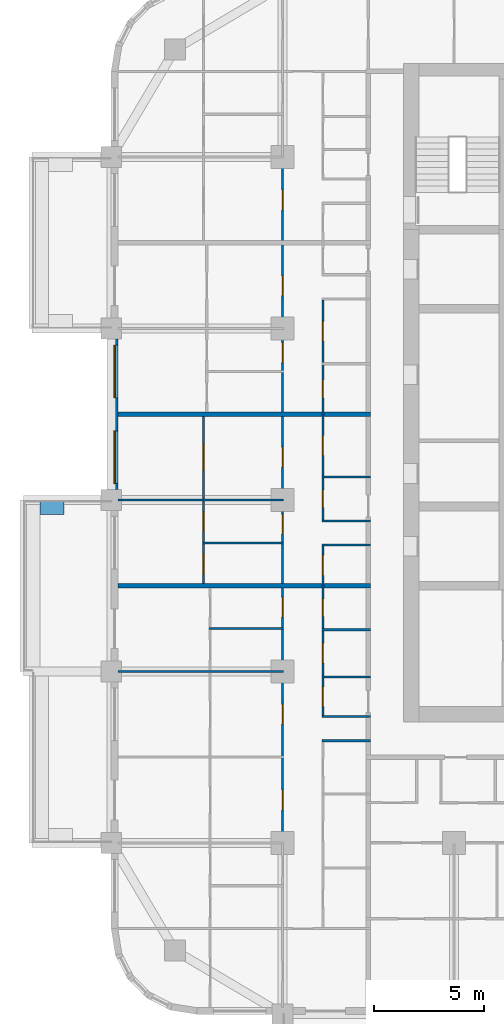
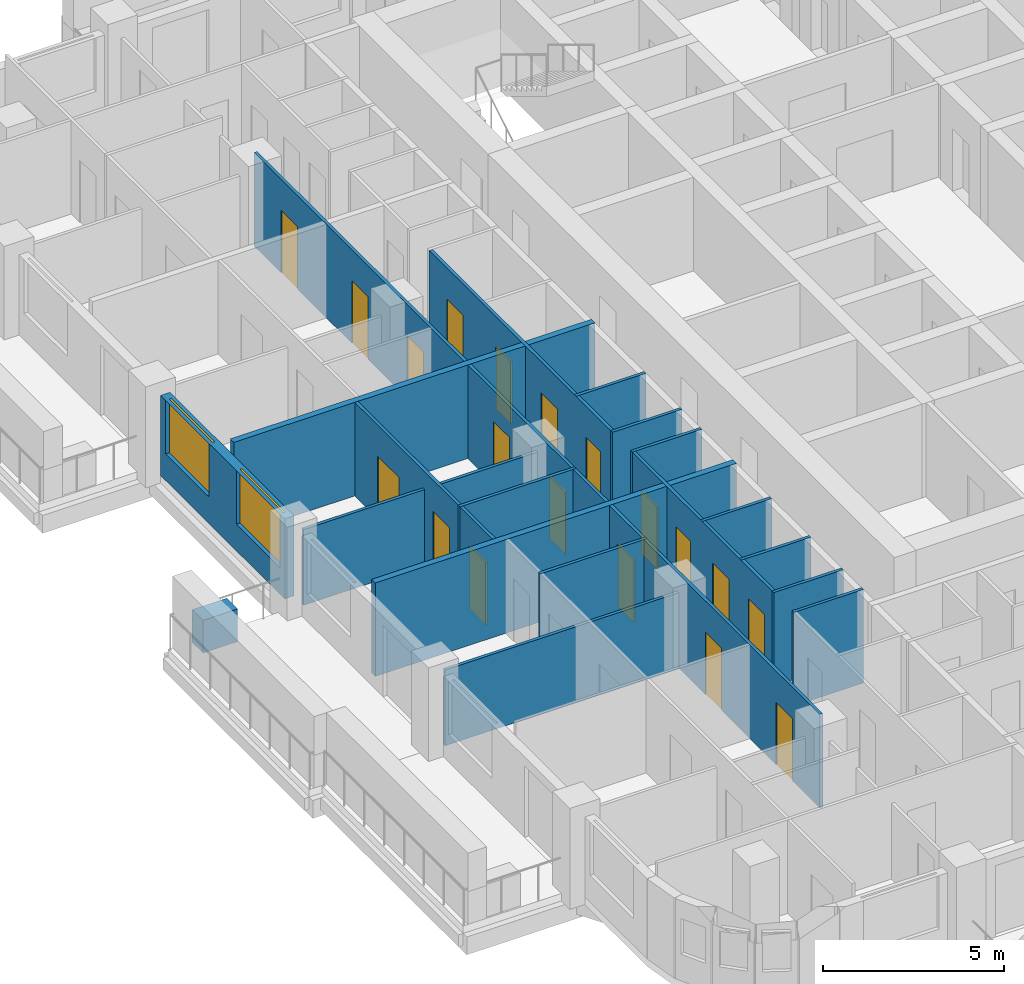
# One storey, part 5 of 18: 19 doors, 19 walls, 2 windows, 21 openings.
"""IFC4 building model written with IfcOpenShell, lengths in metres."""

from ifc_helpers import new_model, si_unit, direction, frame, frame_2d, origin, place, context, subcontext, project, spatial, rectangle, extrude, material, layer, layer_set, type_object, element, fill, save


model = new_model("IFC4")

# Units and contexts
model_context = context("Model", 3, precision=1e-05, world=origin(), true_north=direction((0.0, 1.0)))
body_context = subcontext(model_context, "Body", "Model", "MODEL_VIEW")
ifc_project = project(units=[si_unit("LENGTHUNIT", "METRE"), si_unit("AREAUNIT", "SQUARE_METRE"), si_unit("VOLUMEUNIT", "CUBIC_METRE"), si_unit("PLANEANGLEUNIT", "RADIAN"), si_unit("MASSUNIT", "GRAM", prefix="KILO")], contexts=[model_context])

# Site, building, storey
site_placement = place(None, origin())
site = spatial("IfcSite", under=ifc_project, at=site_placement, CompositionType="ELEMENT")
building_placement = place(site_placement, origin())
building = spatial("IfcBuilding", under=site, at=building_placement, Name="Ludao Terraces", CompositionType="ELEMENT")
storey_placement = place(building_placement, frame((0.0, 0.0, 64.800048828125)))
storey = spatial("IfcBuildingStorey", under=building, at=storey_placement, Name="L17", CompositionType="ELEMENT", Elevation=64.800048828125)

# Wall
ifc_material_1 = material(Name="Concrete C40", Category="concrete")
ifc_layer_1 = layer(ifc_material_1, 0.60009765625)
ifc_layer_set_1 = layer_set([ifc_layer_1], Name="ENV Planter trough 600")
wall_type_1 = type_object("IfcWallType", Name="ENV Planter trough 600", PredefinedType="USERDEFINED", material=ifc_layer_set_1)
wall_1_placement = place(storey_placement, frame((58.35009765625, 64.64990234375, 0.0), z_axis=(0.0, 0.0, 1.0), x_axis=(1.0, 0.0, 0.0)))
element("IfcWall", 1, at=wall_1_placement, inside=storey, type_object=wall_type_1, Name="PL-L17-W2-SB", ObjectType="PLANTER", PredefinedType="USERDEFINED", context=body_context, shape_type="SweptSolid", body=[
    extrude(rectangle(XDim=1.099853515625, YDim=0.60009765625, at=frame_2d((0.5498046875, 0.0))), origin(), (0.0, 0.0, 1.0), 1.099853515625),
])

# Wall, openings, windows
ifc_material_2 = material(Name="Granite cladding", Category="masonry")
ifc_layer_2 = layer(ifc_material_2, 0.0400390625, Category="stone")
ifc_material_3 = material(Name="Mineral wool")
ifc_layer_3 = layer(ifc_material_3, 0.06005859375)
ifc_layer_4 = layer(ifc_material_1, 0.199951171875, Category="concrete")
ifc_layer_set_2 = layer_set([ifc_layer_2, ifc_layer_3, ifc_layer_4], Name="ENV Stone-clad wall 300")
wall_type_2 = type_object("IfcWallType", Name="ENV Stone-clad wall 300", PredefinedType="SOLIDWALL", material=ifc_layer_set_2)
wall_2_placement = place(storey_placement, frame((61.75, 65.47509765625, 0.0), z_axis=(0.0, 0.0, 1.0), x_axis=(0.0, 1.0, 0.0)))
wall_2 = element("IfcWall", 2, at=wall_2_placement, inside=storey, type_object=wall_type_2, Name="EW-L17-W4", PredefinedType="SOLIDWALL", context=body_context, shape_type="SweptSolid", body=[
    extrude(rectangle(XDim=6.849853515625, YDim=0.300048828125, at=frame_2d((3.4248046875, 0.0))), origin(), (0.0, 0.0, 1.0), 2.699951171875),
])
opening_1_placement = place(wall_2_placement, frame((0.27490234375, 0.0, 0.89990234375)))
opening_1 = element("IfcOpeningElement", 3, at=opening_1_placement, cuts=wall_2, Name="Opening W1", PredefinedType="OPENING", context=body_context, shape_type="SweptSolid", body=[
    extrude(rectangle(XDim=2.39990234375, YDim=1.800048828125, at=frame_2d((1.199951171875, 0.89990234375))), frame((0.0, 0.16015625, 0.0), z_axis=(0.0, -1.0, 0.0), x_axis=(1.0, 0.0, 0.0)), (0.0, 0.0, 1.0), 0.320068359375),
])
opening_2_placement = place(wall_2_placement, frame((4.175048828125, 0.0, 0.89990234375)))
opening_2 = element("IfcOpeningElement", 4, at=opening_2_placement, cuts=wall_2, Name="Opening W1", PredefinedType="OPENING", context=body_context, shape_type="SweptSolid", body=[
    extrude(rectangle(XDim=2.39990234375, YDim=1.800048828125, at=frame_2d((1.199951171875, 0.89990234375))), frame((0.0, 0.16015625, 0.0), z_axis=(0.0, -1.0, 0.0), x_axis=(1.0, 0.0, 0.0)), (0.0, 0.0, 1.0), 0.320068359375),
])
ifc_material_4 = material(Name="Clear glass in aluminium frame", Category="aluminium")
ifc_layer_5 = layer(ifc_material_4, 0.06005859375)
ifc_layer_set_3 = layer_set([ifc_layer_5], Name="ENV Window W1 2400x1800")
window_type = type_object("IfcWindowType", Name="ENV Window W1 2400x1800", PartitioningType="DOUBLE_PANEL_VERTICAL", PredefinedType="WINDOW", material=ifc_layer_set_3)
window_1_placement = place(opening_1_placement, origin())
window_1 = element("IfcWindow", 5, at=window_1_placement, inside=storey, type_object=window_type, Name="W-L17-W4-1", OverallHeight=1.800048828125, OverallWidth=2.39990234375, PartitioningType="DOUBLE_PANEL_VERTICAL", PredefinedType="WINDOW", context=body_context, shape_type="SweptSolid", body=[
    extrude(rectangle(XDim=2.39990234375, YDim=1.800048828125, at=frame_2d((1.199951171875, 0.89990234375))), frame((0.0, 0.030029296875, 0.0), z_axis=(0.0, -1.0, 0.0), x_axis=(1.0, 0.0, 0.0)), (0.0, 0.0, 1.0), 0.06005859375),
])
fill(opening_1, window_1)
window_2_placement = place(opening_2_placement, origin())
window_2 = element("IfcWindow", 6, at=window_2_placement, inside=storey, type_object=window_type, Name="W-L17-W4-2", OverallHeight=1.800048828125, OverallWidth=2.39990234375, PartitioningType="DOUBLE_PANEL_VERTICAL", PredefinedType="WINDOW", context=body_context, shape_type="SweptSolid", body=[
    extrude(rectangle(XDim=2.39990234375, YDim=1.800048828125, at=frame_2d((1.199951171875, 0.89990234375))), frame((0.0, 0.030029296875, 0.0), z_axis=(0.0, -1.0, 0.0), x_axis=(1.0, 0.0, 0.0)), (0.0, 0.0, 1.0), 0.06005859375),
])
fill(opening_2, window_2)

# Walls
ifc_material_5 = material(Name="Gypsum plasterboard", Category="gypsum")
ifc_layer_6 = layer(ifc_material_5, 0.012451171875, Category="gypsum")
ifc_layer_7 = layer(ifc_material_3, 0.06005859375, Name="insulation")
ifc_material_6 = material(Name="Steel Q235", Category="steel")
ifc_layer_8 = layer(ifc_material_6, 0.014892578125, Name="stud")
ifc_layer_9 = layer(ifc_material_5, 0.012451171875, Category="gypsum")
ifc_layer_set_4 = layer_set([ifc_layer_6, ifc_layer_7, ifc_layer_8, ifc_layer_9], Name="INT Partition 100")
wall_type_3 = type_object("IfcWallType", Name="INT Partition 100", PredefinedType="PARTITIONING", material=ifc_layer_set_4)
for number, where, z_axis, x_axis, name in (
    (7, (71.18017578125, 54.050048828125, 0.0), (0.0, 0.0, 1.0), (1.0, 0.0, 0.0), "PW-L17-PW022"),
    (8, (71.18017578125, 55.14990234375, 0.0), (0.0, 0.0, 1.0), (1.0, 0.0, 0.0), "PW-L17-PW024"),
    (9, (71.18017578125, 56.949951171875, 0.0), (0.0, 0.0, 1.0), (1.0, 0.0, 0.0), "PW-L17-PW026"),
):
    element("IfcWall", number, at=place(storey_placement, frame(where, z_axis=z_axis, x_axis=x_axis)), inside=storey, type_object=wall_type_3, Name=name, PredefinedType="PARTITIONING", context=body_context, shape_type="SweptSolid", body=[
        extrude(rectangle(XDim=2.219970703125, YDim=0.10009765625, at=frame_2d((1.10986328125, 0.0))), origin(), (0.0, 0.0, 1.0), 3.14990234375),
    ])
wall_3_placement = place(storey_placement, frame((61.900146484375, 57.199951171875, 0.0), z_axis=(0.0, 0.0, 1.0), x_axis=(1.0, 0.0, 0.0)))
element("IfcWall", 10, at=wall_3_placement, inside=storey, type_object=wall_type_3, Name="PW-L17-PW027", PredefinedType="PARTITIONING", context=body_context, shape_type="SweptSolid", body=[
    extrude(rectangle(XDim=7.550048828125, YDim=0.10009765625, at=frame_2d((3.77490234375, 0.0))), origin(), (0.0, 0.0, 1.0), 2.5498046875),
])
wall_4_placement = place(storey_placement, frame((71.18017578125, 59.10009765625, 0.0), z_axis=(0.0, 0.0, 1.0), x_axis=(1.0, 0.0, 0.0)))
element("IfcWall", 11, at=wall_4_placement, inside=storey, type_object=wall_type_3, Name="PW-L17-PW029", PredefinedType="PARTITIONING", context=body_context, shape_type="SweptSolid", body=[
    extrude(rectangle(XDim=2.219970703125, YDim=0.10009765625, at=frame_2d((1.10986328125, 0.0))), origin(), (0.0, 0.0, 1.0), 3.14990234375),
])
wall_5_placement = place(storey_placement, frame((66.050048828125, 59.14990234375, 0.0), z_axis=(0.0, 0.0, 1.0), x_axis=(1.0, 0.0, 0.0)))
element("IfcWall", 12, at=wall_5_placement, inside=storey, type_object=wall_type_3, Name="PW-L17-PW030", PredefinedType="PARTITIONING", context=body_context, shape_type="SweptSolid", body=[
    extrude(rectangle(XDim=3.400146484375, YDim=0.10009765625, at=frame_2d((1.7001953125, 0.0))), origin(), (0.0, 0.0, 1.0), 3.14990234375),
])
wall_6_placement = place(storey_placement, frame((71.18017578125, 62.949951171875, 0.0), z_axis=(0.0, 0.0, 1.0), x_axis=(1.0, 0.0, 0.0)))
element("IfcWall", 13, at=wall_6_placement, inside=storey, type_object=wall_type_3, Name="PW-L17-PW037", PredefinedType="PARTITIONING", context=body_context, shape_type="SweptSolid", body=[
    extrude(rectangle(XDim=2.219970703125, YDim=0.10009765625, at=frame_2d((1.10986328125, 0.0))), origin(), (0.0, 0.0, 1.0), 3.14990234375),
])
wall_7_placement = place(storey_placement, frame((65.75, 63.050048828125, 0.0), z_axis=(0.0, 0.0, 1.0), x_axis=(1.0, 0.0, 0.0)))
element("IfcWall", 14, at=wall_7_placement, inside=storey, type_object=wall_type_3, Name="PW-L17-PW038", PredefinedType="PARTITIONING", context=body_context, shape_type="SweptSolid", body=[
    extrude(rectangle(XDim=3.7001953125, YDim=0.10009765625, at=frame_2d((1.85009765625, 0.0))), origin(), (0.0, 0.0, 1.0), 3.14990234375),
])
wall_8_placement = place(storey_placement, frame((71.18017578125, 64.050048828125, 0.0), z_axis=(0.0, 0.0, 1.0), x_axis=(1.0, 0.0, 0.0)))
element("IfcWall", 15, at=wall_8_placement, inside=storey, type_object=wall_type_3, Name="PW-L17-PW041", PredefinedType="PARTITIONING", context=body_context, shape_type="SweptSolid", body=[
    extrude(rectangle(XDim=2.219970703125, YDim=0.10009765625, at=frame_2d((1.10986328125, 0.0))), origin(), (0.0, 0.0, 1.0), 3.14990234375),
])
wall_9_placement = place(storey_placement, frame((61.900146484375, 65.0, 0.0), z_axis=(0.0, 0.0, 1.0), x_axis=(1.0, 0.0, 0.0)))
element("IfcWall", 16, at=wall_9_placement, inside=storey, type_object=wall_type_3, Name="PW-L17-PW042", PredefinedType="PARTITIONING", context=body_context, shape_type="SweptSolid", body=[
    extrude(rectangle(XDim=7.550048828125, YDim=0.10009765625, at=frame_2d((3.77490234375, 0.0))), origin(), (0.0, 0.0, 1.0), 2.5498046875),
])
wall_10_placement = place(storey_placement, frame((71.18017578125, 66.050048828125, 0.0), z_axis=(0.0, 0.0, 1.0), x_axis=(1.0, 0.0, 0.0)))
element("IfcWall", 17, at=wall_10_placement, inside=storey, type_object=wall_type_3, Name="PW-L17-PW044", PredefinedType="PARTITIONING", context=body_context, shape_type="SweptSolid", body=[
    extrude(rectangle(XDim=2.219970703125, YDim=0.10009765625, at=frame_2d((1.10986328125, 0.0))), origin(), (0.0, 0.0, 1.0), 3.14990234375),
])

# Wall, openings, doors
wall_11_placement = place(storey_placement, frame((65.800048828125, 61.2001953125, 0.0), z_axis=(0.0, 0.0, 1.0), x_axis=(0.0, 1.0, 0.0)))
wall_11 = element("IfcWall", 18, at=wall_11_placement, inside=storey, type_object=wall_type_3, Name="PW-L17-PW081", PredefinedType="PARTITIONING", context=body_context, shape_type="SweptSolid", body=[
    extrude(rectangle(XDim=7.599853515625, YDim=0.10009765625, at=frame_2d((3.7998046875, 0.0))), origin(), (0.0, 0.0, 1.0), 3.14990234375),
])
opening_3_placement = place(wall_11_placement, frame((0.4248046875, 0.0, 0.0)))
opening_3 = element("IfcOpeningElement", 19, at=opening_3_placement, cuts=wall_11, Name="Opening R05-076", PredefinedType="OPENING", context=body_context, shape_type="SweptSolid", body=[
    extrude(rectangle(XDim=0.89990234375, YDim=2.10009765625, at=frame_2d((0.449951171875, 1.050048828125))), frame((0.0, 0.06005859375, 0.0), z_axis=(0.0, -1.0, 0.0), x_axis=(1.0, 0.0, 0.0)), (0.0, 0.0, 1.0), 0.1201171875),
])
opening_4_placement = place(wall_11_placement, frame((2.375, 0.0, 0.0)))
opening_4 = element("IfcOpeningElement", 20, at=opening_4_placement, cuts=wall_11, Name="Opening R05-085", PredefinedType="OPENING", context=body_context, shape_type="SweptSolid", body=[
    extrude(rectangle(XDim=0.89990234375, YDim=2.10009765625, at=frame_2d((0.449951171875, 1.050048828125))), frame((0.0, 0.06005859375, 0.0), z_axis=(0.0, -1.0, 0.0), x_axis=(1.0, 0.0, 0.0)), (0.0, 0.0, 1.0), 0.1201171875),
])
opening_5_placement = place(wall_11_placement, frame((5.14990234375, 0.0, 0.0)))
opening_5 = element("IfcOpeningElement", 21, at=opening_5_placement, cuts=wall_11, Name="Opening R05-094", PredefinedType="OPENING", context=body_context, shape_type="SweptSolid", body=[
    extrude(rectangle(XDim=1.199951171875, YDim=2.10009765625, at=frame_2d((0.60009765625, 1.050048828125))), frame((0.0, 0.06005859375, 0.0), z_axis=(0.0, -1.0, 0.0), x_axis=(1.0, 0.0, 0.0)), (0.0, 0.0, 1.0), 0.1201171875),
])
ifc_material_7 = material(Name="Timber door leaf", Category="wood")
door_type_1 = type_object("IfcDoorType", Name="INT Bathroom door 900", OperationType="SINGLE_SWING_LEFT", PredefinedType="DOOR", material=ifc_material_7)
door_1_placement = place(opening_3_placement, origin())
door_1 = element("IfcDoor", 22, at=door_1_placement, inside=storey, type_object=door_type_1, Name="DOOR 076", OperationType="SINGLE_SWING_RIGHT", OverallHeight=2.10009765625, OverallWidth=0.89990234375, PredefinedType="DOOR", context=body_context, shape_type="SweptSolid", body=[
    extrude(rectangle(XDim=0.89990234375, YDim=2.10009765625, at=frame_2d((0.449951171875, 1.050048828125))), frame((0.0, 0.02490234375, 0.0), z_axis=(0.0, -1.0, 0.0), x_axis=(1.0, 0.0, 0.0)), (0.0, 0.0, 1.0), 0.050048828125),
])
fill(opening_3, door_1)
door_type_2 = type_object("IfcDoorType", Name="INT Double door 1200", OperationType="DOUBLE_DOOR_SINGLE_SWING", PredefinedType="DOOR", material=ifc_material_7)
door_2_placement = place(opening_5_placement, origin())
door_2 = element("IfcDoor", 23, at=door_2_placement, inside=storey, type_object=door_type_2, Name="DOOR 094", OperationType="DOUBLE_DOOR_SINGLE_SWING", OverallHeight=2.10009765625, OverallWidth=1.199951171875, PredefinedType="DOOR", context=body_context, shape_type="SweptSolid", body=[
    extrude(rectangle(XDim=1.199951171875, YDim=2.10009765625, at=frame_2d((0.60009765625, 1.050048828125))), frame((0.0, 0.02490234375, 0.0), z_axis=(0.0, -1.0, 0.0), x_axis=(1.0, 0.0, 0.0)), (0.0, 0.0, 1.0), 0.050048828125),
])
fill(opening_5, door_2)
door_type_3 = type_object("IfcDoorType", Name="INT Room door 900", OperationType="SINGLE_SWING_LEFT", PredefinedType="DOOR", material=ifc_material_7)
door_3_placement = place(opening_4_placement, origin())
door_3 = element("IfcDoor", 24, at=door_3_placement, inside=storey, type_object=door_type_3, Name="DOOR 085", OperationType="SINGLE_SWING_RIGHT", OverallHeight=2.10009765625, OverallWidth=0.89990234375, PredefinedType="DOOR", context=body_context, shape_type="SweptSolid", body=[
    extrude(rectangle(XDim=0.89990234375, YDim=2.10009765625, at=frame_2d((0.449951171875, 1.050048828125))), frame((0.0, 0.02490234375, 0.0), z_axis=(0.0, -1.0, 0.0), x_axis=(1.0, 0.0, 0.0)), (0.0, 0.0, 1.0), 0.050048828125),
])
fill(opening_4, door_3)

wall_12_placement = place(storey_placement, frame((69.39990234375, 49.39990234375, 0.0), z_axis=(0.0, 0.0, 1.0), x_axis=(0.0, 1.0, 0.0)))
wall_12 = element("IfcWall", 25, at=wall_12_placement, inside=storey, type_object=wall_type_3, Name="PW-L17-PW085-2", PredefinedType="PARTITIONING", context=body_context, shape_type="SweptSolid", body=[
    extrude(rectangle(XDim=31.2001953125, YDim=0.10009765625, at=frame_2d((15.60009765625, 0.0))), origin(), (0.0, 0.0, 1.0), 3.14990234375),
])
opening_6_placement = place(wall_12_placement, frame((1.500244140625, 0.0, 0.0)))
opening_6 = element("IfcOpeningElement", 26, at=opening_6_placement, cuts=wall_12, Name="Opening R05-043", PredefinedType="OPENING", context=body_context, shape_type="SweptSolid", body=[
    extrude(rectangle(XDim=0.89990234375, YDim=2.10009765625, at=frame_2d((0.449951171875, 1.050048828125))), frame((0.0, 0.06005859375, 0.0), z_axis=(0.0, -1.0, 0.0), x_axis=(1.0, 0.0, 0.0)), (0.0, 0.0, 1.0), 0.1201171875),
])
opening_7_placement = place(wall_12_placement, frame((5.400146484375, 0.0, 0.0)))
opening_7 = element("IfcOpeningElement", 27, at=opening_7_placement, cuts=wall_12, Name="Opening R05-053", PredefinedType="OPENING", context=body_context, shape_type="SweptSolid", body=[
    extrude(rectangle(XDim=0.89990234375, YDim=2.10009765625, at=frame_2d((0.449951171875, 1.050048828125))), frame((0.0, 0.06005859375, 0.0), z_axis=(0.0, -1.0, 0.0), x_axis=(1.0, 0.0, 0.0)), (0.0, 0.0, 1.0), 0.1201171875),
])
opening_8_placement = place(wall_12_placement, frame((10.275146484375, 0.0, 0.0)))
opening_8 = element("IfcOpeningElement", 28, at=opening_8_placement, cuts=wall_12, Name="Opening R05-071", PredefinedType="OPENING", context=body_context, shape_type="SweptSolid", body=[
    extrude(rectangle(XDim=0.89990234375, YDim=2.10009765625, at=frame_2d((0.449951171875, 1.050048828125))), frame((0.0, 0.06005859375, 0.0), z_axis=(0.0, -1.0, 0.0), x_axis=(1.0, 0.0, 0.0)), (0.0, 0.0, 1.0), 0.1201171875),
])
opening_9_placement = place(wall_12_placement, frame((14.05029296875, 0.0, 0.0)))
opening_9 = element("IfcOpeningElement", 29, at=opening_9_placement, cuts=wall_12, Name="Opening R05-083", PredefinedType="OPENING", context=body_context, shape_type="SweptSolid", body=[
    extrude(rectangle(XDim=0.89990234375, YDim=2.10009765625, at=frame_2d((0.449951171875, 1.050048828125))), frame((0.0, 0.06005859375, 0.0), z_axis=(0.0, -1.0, 0.0), x_axis=(1.0, 0.0, 0.0)), (0.0, 0.0, 1.0), 0.1201171875),
])
opening_10_placement = place(wall_12_placement, frame((17.10009765625, 0.0, 0.0)))
opening_10 = element("IfcOpeningElement", 30, at=opening_10_placement, cuts=wall_12, Name="Opening R05-095", PredefinedType="OPENING", context=body_context, shape_type="SweptSolid", body=[
    extrude(rectangle(XDim=0.89990234375, YDim=2.10009765625, at=frame_2d((0.449951171875, 1.050048828125))), frame((0.0, 0.06005859375, 0.0), z_axis=(0.0, -1.0, 0.0), x_axis=(1.0, 0.0, 0.0)), (0.0, 0.0, 1.0), 0.1201171875),
])
opening_11_placement = place(wall_12_placement, frame((21.85009765625, 0.0, 0.0)))
opening_11 = element("IfcOpeningElement", 31, at=opening_11_placement, cuts=wall_12, Name="Opening R05-109", PredefinedType="OPENING", context=body_context, shape_type="SweptSolid", body=[
    extrude(rectangle(XDim=0.89990234375, YDim=2.10009765625, at=frame_2d((0.449951171875, 1.050048828125))), frame((0.0, 0.06005859375, 0.0), z_axis=(0.0, -1.0, 0.0), x_axis=(1.0, 0.0, 0.0)), (0.0, 0.0, 1.0), 0.1201171875),
])
opening_12_placement = place(wall_12_placement, frame((24.900146484375, 0.0, 0.0)))
opening_12 = element("IfcOpeningElement", 32, at=opening_12_placement, cuts=wall_12, Name="Opening R05-120", PredefinedType="OPENING", context=body_context, shape_type="SweptSolid", body=[
    extrude(rectangle(XDim=0.89990234375, YDim=2.10009765625, at=frame_2d((0.449951171875, 1.050048828125))), frame((0.0, 0.06005859375, 0.0), z_axis=(0.0, -1.0, 0.0), x_axis=(1.0, 0.0, 0.0)), (0.0, 0.0, 1.0), 0.1201171875),
])
opening_13_placement = place(wall_12_placement, frame((28.80029296875, 0.0, 0.0)))
opening_13 = element("IfcOpeningElement", 33, at=opening_13_placement, cuts=wall_12, Name="Opening R05-138", PredefinedType="OPENING", context=body_context, shape_type="SweptSolid", body=[
    extrude(rectangle(XDim=0.89990234375, YDim=2.10009765625, at=frame_2d((0.449951171875, 1.050048828125))), frame((0.0, 0.06005859375, 0.0), z_axis=(0.0, -1.0, 0.0), x_axis=(1.0, 0.0, 0.0)), (0.0, 0.0, 1.0), 0.1201171875),
])
door_4_placement = place(opening_6_placement, origin())
door_4 = element("IfcDoor", 34, at=door_4_placement, inside=storey, type_object=door_type_3, Name="DOOR 043", OperationType="SINGLE_SWING_RIGHT", OverallHeight=2.10009765625, OverallWidth=0.89990234375, PredefinedType="DOOR", context=body_context, shape_type="SweptSolid", body=[
    extrude(rectangle(XDim=0.89990234375, YDim=2.10009765625, at=frame_2d((0.449951171875, 1.050048828125))), frame((0.0, 0.02490234375, 0.0), z_axis=(0.0, -1.0, 0.0), x_axis=(1.0, 0.0, 0.0)), (0.0, 0.0, 1.0), 0.050048828125),
])
fill(opening_6, door_4)
door_5_placement = place(opening_7_placement, origin())
door_5 = element("IfcDoor", 35, at=door_5_placement, inside=storey, type_object=door_type_3, Name="DOOR 053", OperationType="SINGLE_SWING_LEFT", OverallHeight=2.10009765625, OverallWidth=0.89990234375, PredefinedType="DOOR", context=body_context, shape_type="SweptSolid", body=[
    extrude(rectangle(XDim=0.89990234375, YDim=2.10009765625, at=frame_2d((0.449951171875, 1.050048828125))), frame((0.0, 0.02490234375, 0.0), z_axis=(0.0, -1.0, 0.0), x_axis=(1.0, 0.0, 0.0)), (0.0, 0.0, 1.0), 0.050048828125),
])
fill(opening_7, door_5)
door_6_placement = place(opening_8_placement, origin())
door_6 = element("IfcDoor", 36, at=door_6_placement, inside=storey, type_object=door_type_3, Name="DOOR 071", OperationType="SINGLE_SWING_RIGHT", OverallHeight=2.10009765625, OverallWidth=0.89990234375, PredefinedType="DOOR", context=body_context, shape_type="SweptSolid", body=[
    extrude(rectangle(XDim=0.89990234375, YDim=2.10009765625, at=frame_2d((0.449951171875, 1.050048828125))), frame((0.0, 0.02490234375, 0.0), z_axis=(0.0, -1.0, 0.0), x_axis=(1.0, 0.0, 0.0)), (0.0, 0.0, 1.0), 0.050048828125),
])
fill(opening_8, door_6)
door_7_placement = place(opening_9_placement, origin())
door_7 = element("IfcDoor", 37, at=door_7_placement, inside=storey, type_object=door_type_3, Name="DOOR 083", OperationType="SINGLE_SWING_LEFT", OverallHeight=2.10009765625, OverallWidth=0.89990234375, PredefinedType="DOOR", context=body_context, shape_type="SweptSolid", body=[
    extrude(rectangle(XDim=0.89990234375, YDim=2.10009765625, at=frame_2d((0.449951171875, 1.050048828125))), frame((0.0, 0.02490234375, 0.0), z_axis=(0.0, -1.0, 0.0), x_axis=(1.0, 0.0, 0.0)), (0.0, 0.0, 1.0), 0.050048828125),
])
fill(opening_9, door_7)
door_8_placement = place(opening_10_placement, origin())
door_8 = element("IfcDoor", 38, at=door_8_placement, inside=storey, type_object=door_type_3, Name="DOOR 095", OperationType="SINGLE_SWING_LEFT", OverallHeight=2.10009765625, OverallWidth=0.89990234375, PredefinedType="DOOR", context=body_context, shape_type="SweptSolid", body=[
    extrude(rectangle(XDim=0.89990234375, YDim=2.10009765625, at=frame_2d((0.449951171875, 1.050048828125))), frame((0.0, 0.02490234375, 0.0), z_axis=(0.0, -1.0, 0.0), x_axis=(1.0, 0.0, 0.0)), (0.0, 0.0, 1.0), 0.050048828125),
])
fill(opening_10, door_8)
door_9_placement = place(opening_11_placement, origin())
door_9 = element("IfcDoor", 39, at=door_9_placement, inside=storey, type_object=door_type_3, Name="DOOR 109", OperationType="SINGLE_SWING_LEFT", OverallHeight=2.10009765625, OverallWidth=0.89990234375, PredefinedType="DOOR", context=body_context, shape_type="SweptSolid", body=[
    extrude(rectangle(XDim=0.89990234375, YDim=2.10009765625, at=frame_2d((0.449951171875, 1.050048828125))), frame((0.0, 0.02490234375, 0.0), z_axis=(0.0, -1.0, 0.0), x_axis=(1.0, 0.0, 0.0)), (0.0, 0.0, 1.0), 0.050048828125),
])
fill(opening_11, door_9)
door_10_placement = place(opening_12_placement, origin())
door_10 = element("IfcDoor", 40, at=door_10_placement, inside=storey, type_object=door_type_3, Name="DOOR 120", OperationType="SINGLE_SWING_RIGHT", OverallHeight=2.10009765625, OverallWidth=0.89990234375, PredefinedType="DOOR", context=body_context, shape_type="SweptSolid", body=[
    extrude(rectangle(XDim=0.89990234375, YDim=2.10009765625, at=frame_2d((0.449951171875, 1.050048828125))), frame((0.0, 0.02490234375, 0.0), z_axis=(0.0, -1.0, 0.0), x_axis=(1.0, 0.0, 0.0)), (0.0, 0.0, 1.0), 0.050048828125),
])
fill(opening_12, door_10)
door_11_placement = place(opening_13_placement, origin())
door_11 = element("IfcDoor", 41, at=door_11_placement, inside=storey, type_object=door_type_3, Name="DOOR 138", OperationType="SINGLE_SWING_LEFT", OverallHeight=2.10009765625, OverallWidth=0.89990234375, PredefinedType="DOOR", context=body_context, shape_type="SweptSolid", body=[
    extrude(rectangle(XDim=0.89990234375, YDim=2.10009765625, at=frame_2d((0.449951171875, 1.050048828125))), frame((0.0, 0.02490234375, 0.0), z_axis=(0.0, -1.0, 0.0), x_axis=(1.0, 0.0, 0.0)), (0.0, 0.0, 1.0), 0.050048828125),
])
fill(opening_13, door_11)

wall_13_placement = place(storey_placement, frame((71.22998046875, 55.2001953125, 0.0), z_axis=(0.0, 0.0, 1.0), x_axis=(0.0, 1.0, 0.0)))
wall_13 = element("IfcWall", 42, at=wall_13_placement, inside=storey, type_object=wall_type_3, Name="PW-L17-PW087", PredefinedType="PARTITIONING", context=body_context, shape_type="SweptSolid", body=[
    extrude(rectangle(XDim=7.699951171875, YDim=0.10009765625, at=frame_2d((3.85009765625, 0.0))), origin(), (0.0, 0.0, 1.0), 3.14990234375),
])
opening_14_placement = place(wall_13_placement, frame((0.39990234375, 0.0, 0.0)))
opening_14 = element("IfcOpeningElement", 43, at=opening_14_placement, cuts=wall_13, Name="Opening R05-057", PredefinedType="OPENING", context=body_context, shape_type="SweptSolid", body=[
    extrude(rectangle(XDim=0.89990234375, YDim=2.10009765625, at=frame_2d((0.449951171875, 1.050048828125))), frame((0.0, 0.06005859375, 0.0), z_axis=(0.0, -1.0, 0.0), x_axis=(1.0, 0.0, 0.0)), (0.0, 0.0, 1.0), 0.1201171875),
])
opening_15_placement = place(wall_13_placement, frame((2.375, 0.0, 0.0)))
opening_15 = element("IfcOpeningElement", 44, at=opening_15_placement, cuts=wall_13, Name="Opening R05-063", PredefinedType="OPENING", context=body_context, shape_type="SweptSolid", body=[
    extrude(rectangle(XDim=0.89990234375, YDim=2.10009765625, at=frame_2d((0.449951171875, 1.050048828125))), frame((0.0, 0.06005859375, 0.0), z_axis=(0.0, -1.0, 0.0), x_axis=(1.0, 0.0, 0.0)), (0.0, 0.0, 1.0), 0.1201171875),
])
opening_16_placement = place(wall_13_placement, frame((4.5, 0.0, 0.0)))
opening_16 = element("IfcOpeningElement", 45, at=opening_16_placement, cuts=wall_13, Name="Opening R05-069", PredefinedType="OPENING", context=body_context, shape_type="SweptSolid", body=[
    extrude(rectangle(XDim=0.800048828125, YDim=2.10009765625, at=frame_2d((0.39990234375, 1.050048828125))), frame((0.0, 0.06005859375, 0.0), z_axis=(0.0, -1.0, 0.0), x_axis=(1.0, 0.0, 0.0)), (0.0, 0.0, 1.0), 0.1201171875),
])
opening_17_placement = place(wall_13_placement, frame((6.375, 0.0, 0.0)))
opening_17 = element("IfcOpeningElement", 46, at=opening_17_placement, cuts=wall_13, Name="Opening R05-075", PredefinedType="OPENING", context=body_context, shape_type="SweptSolid", body=[
    extrude(rectangle(XDim=0.89990234375, YDim=2.10009765625, at=frame_2d((0.449951171875, 1.050048828125))), frame((0.0, 0.06005859375, 0.0), z_axis=(0.0, -1.0, 0.0), x_axis=(1.0, 0.0, 0.0)), (0.0, 0.0, 1.0), 0.1201171875),
])
door_12_placement = place(opening_14_placement, origin())
door_12 = element("IfcDoor", 47, at=door_12_placement, inside=storey, type_object=door_type_1, Name="DOOR 057", OperationType="SINGLE_SWING_RIGHT", OverallHeight=2.10009765625, OverallWidth=0.89990234375, PredefinedType="DOOR", context=body_context, shape_type="SweptSolid", body=[
    extrude(rectangle(XDim=0.89990234375, YDim=2.10009765625, at=frame_2d((0.449951171875, 1.050048828125))), frame((0.0, 0.02490234375, 0.0), z_axis=(0.0, -1.0, 0.0), x_axis=(1.0, 0.0, 0.0)), (0.0, 0.0, 1.0), 0.050048828125),
])
fill(opening_14, door_12)
door_13_placement = place(opening_15_placement, origin())
door_13 = element("IfcDoor", 48, at=door_13_placement, inside=storey, type_object=door_type_1, Name="DOOR 063", OperationType="SINGLE_SWING_RIGHT", OverallHeight=2.10009765625, OverallWidth=0.89990234375, PredefinedType="DOOR", context=body_context, shape_type="SweptSolid", body=[
    extrude(rectangle(XDim=0.89990234375, YDim=2.10009765625, at=frame_2d((0.449951171875, 1.050048828125))), frame((0.0, 0.02490234375, 0.0), z_axis=(0.0, -1.0, 0.0), x_axis=(1.0, 0.0, 0.0)), (0.0, 0.0, 1.0), 0.050048828125),
])
fill(opening_15, door_13)
door_14_placement = place(opening_17_placement, origin())
door_14 = element("IfcDoor", 49, at=door_14_placement, inside=storey, type_object=door_type_1, Name="DOOR 075", OperationType="SINGLE_SWING_RIGHT", OverallHeight=2.10009765625, OverallWidth=0.89990234375, PredefinedType="DOOR", context=body_context, shape_type="SweptSolid", body=[
    extrude(rectangle(XDim=0.89990234375, YDim=2.10009765625, at=frame_2d((0.449951171875, 1.050048828125))), frame((0.0, 0.02490234375, 0.0), z_axis=(0.0, -1.0, 0.0), x_axis=(1.0, 0.0, 0.0)), (0.0, 0.0, 1.0), 0.050048828125),
])
fill(opening_17, door_14)
door_type_4 = type_object("IfcDoorType", Name="INT Store door 800", OperationType="SINGLE_SWING_LEFT", PredefinedType="DOOR", material=ifc_material_7)
door_15_placement = place(opening_16_placement, origin())
door_15 = element("IfcDoor", 50, at=door_15_placement, inside=storey, type_object=door_type_4, Name="DOOR 069", OperationType="SINGLE_SWING_LEFT", OverallHeight=2.10009765625, OverallWidth=0.800048828125, PredefinedType="DOOR", context=body_context, shape_type="SweptSolid", body=[
    extrude(rectangle(XDim=0.800048828125, YDim=2.10009765625, at=frame_2d((0.39990234375, 1.050048828125))), frame((0.0, 0.02490234375, 0.0), z_axis=(0.0, -1.0, 0.0), x_axis=(1.0, 0.0, 0.0)), (0.0, 0.0, 1.0), 0.050048828125),
])
fill(opening_16, door_15)

wall_14_placement = place(storey_placement, frame((71.22998046875, 64.10009765625, 0.0), z_axis=(0.0, 0.0, 1.0), x_axis=(0.0, 1.0, 0.0)))
wall_14 = element("IfcWall", 51, at=wall_14_placement, inside=storey, type_object=wall_type_3, Name="PW-L17-PW088", PredefinedType="PARTITIONING", context=body_context, shape_type="SweptSolid", body=[
    extrude(rectangle(XDim=10.0, YDim=0.10009765625, at=frame_2d((5.0, 0.0))), origin(), (0.0, 0.0, 1.0), 3.14990234375),
])
opening_18_placement = place(wall_14_placement, frame((0.550048828125, 0.0, 0.0)))
opening_18 = element("IfcOpeningElement", 52, at=opening_18_placement, cuts=wall_14, Name="Opening R05-089", PredefinedType="OPENING", context=body_context, shape_type="SweptSolid", body=[
    extrude(rectangle(XDim=0.800048828125, YDim=2.10009765625, at=frame_2d((0.39990234375, 1.050048828125))), frame((0.0, 0.06005859375, 0.0), z_axis=(0.0, -1.0, 0.0), x_axis=(1.0, 0.0, 0.0)), (0.0, 0.0, 1.0), 0.1201171875),
])
opening_19_placement = place(wall_14_placement, frame((2.925048828125, 0.0, 0.0)))
opening_19 = element("IfcOpeningElement", 53, at=opening_19_placement, cuts=wall_14, Name="Opening R05-096", PredefinedType="OPENING", context=body_context, shape_type="SweptSolid", body=[
    extrude(rectangle(XDim=0.89990234375, YDim=2.10009765625, at=frame_2d((0.449951171875, 1.050048828125))), frame((0.0, 0.06005859375, 0.0), z_axis=(0.0, -1.0, 0.0), x_axis=(1.0, 0.0, 0.0)), (0.0, 0.0, 1.0), 0.1201171875),
])
opening_20_placement = place(wall_14_placement, frame((5.550048828125, 0.0, 0.0)))
opening_20 = element("IfcOpeningElement", 54, at=opening_20_placement, cuts=wall_14, Name="Opening R05-103", PredefinedType="OPENING", context=body_context, shape_type="SweptSolid", body=[
    extrude(rectangle(XDim=0.800048828125, YDim=2.10009765625, at=frame_2d((0.39990234375, 1.050048828125))), frame((0.0, 0.06005859375, 0.0), z_axis=(0.0, -1.0, 0.0), x_axis=(1.0, 0.0, 0.0)), (0.0, 0.0, 1.0), 0.1201171875),
])
opening_21_placement = place(wall_14_placement, frame((8.125, 0.0, 0.0)))
opening_21 = element("IfcOpeningElement", 55, at=opening_21_placement, cuts=wall_14, Name="Opening R05-113", PredefinedType="OPENING", context=body_context, shape_type="SweptSolid", body=[
    extrude(rectangle(XDim=0.89990234375, YDim=2.10009765625, at=frame_2d((0.449951171875, 1.050048828125))), frame((0.0, 0.06005859375, 0.0), z_axis=(0.0, -1.0, 0.0), x_axis=(1.0, 0.0, 0.0)), (0.0, 0.0, 1.0), 0.1201171875),
])
door_16_placement = place(opening_19_placement, origin())
door_16 = element("IfcDoor", 56, at=door_16_placement, inside=storey, type_object=door_type_3, Name="DOOR 096", OperationType="SINGLE_SWING_LEFT", OverallHeight=2.10009765625, OverallWidth=0.89990234375, PredefinedType="DOOR", context=body_context, shape_type="SweptSolid", body=[
    extrude(rectangle(XDim=0.89990234375, YDim=2.10009765625, at=frame_2d((0.449951171875, 1.050048828125))), frame((0.0, 0.02490234375, 0.0), z_axis=(0.0, -1.0, 0.0), x_axis=(1.0, 0.0, 0.0)), (0.0, 0.0, 1.0), 0.050048828125),
])
fill(opening_19, door_16)
door_17_placement = place(opening_21_placement, origin())
door_17 = element("IfcDoor", 57, at=door_17_placement, inside=storey, type_object=door_type_3, Name="DOOR 113", OperationType="SINGLE_SWING_LEFT", OverallHeight=2.10009765625, OverallWidth=0.89990234375, PredefinedType="DOOR", context=body_context, shape_type="SweptSolid", body=[
    extrude(rectangle(XDim=0.89990234375, YDim=2.10009765625, at=frame_2d((0.449951171875, 1.050048828125))), frame((0.0, 0.02490234375, 0.0), z_axis=(0.0, -1.0, 0.0), x_axis=(1.0, 0.0, 0.0)), (0.0, 0.0, 1.0), 0.050048828125),
])
fill(opening_21, door_17)
door_18_placement = place(opening_18_placement, origin())
door_18 = element("IfcDoor", 58, at=door_18_placement, inside=storey, type_object=door_type_4, Name="DOOR 089", OperationType="SINGLE_SWING_RIGHT", OverallHeight=2.10009765625, OverallWidth=0.800048828125, PredefinedType="DOOR", context=body_context, shape_type="SweptSolid", body=[
    extrude(rectangle(XDim=0.800048828125, YDim=2.10009765625, at=frame_2d((0.39990234375, 1.050048828125))), frame((0.0, 0.02490234375, 0.0), z_axis=(0.0, -1.0, 0.0), x_axis=(1.0, 0.0, 0.0)), (0.0, 0.0, 1.0), 0.050048828125),
])
fill(opening_18, door_18)
door_19_placement = place(opening_20_placement, origin())
door_19 = element("IfcDoor", 59, at=door_19_placement, inside=storey, type_object=door_type_4, Name="DOOR 103", OperationType="SINGLE_SWING_RIGHT", OverallHeight=2.10009765625, OverallWidth=0.800048828125, PredefinedType="DOOR", context=body_context, shape_type="SweptSolid", body=[
    extrude(rectangle(XDim=0.800048828125, YDim=2.10009765625, at=frame_2d((0.39990234375, 1.050048828125))), frame((0.0, 0.02490234375, 0.0), z_axis=(0.0, -1.0, 0.0), x_axis=(1.0, 0.0, 0.0)), (0.0, 0.0, 1.0), 0.050048828125),
])
fill(opening_20, door_19)

# Walls
ifc_material_8 = material(Name="Autoclaved aerated concrete block B06 A3.5", Category="concrete")
ifc_layer_10 = layer(ifc_material_8, 0.199951171875)
ifc_layer_set_5 = layer_set([ifc_layer_10], Name="INT Party wall 200")
wall_type_4 = type_object("IfcWallType", Name="INT Party wall 200", PredefinedType="PARTITIONING", material=ifc_layer_set_5)
for number, where, z_axis, x_axis, name in (
    (60, (61.900146484375, 61.10009765625, 0.0), (0.0, 0.0, 1.0), (1.0, 0.0, 0.0), "PW-L17-PW033"),
    (61, (61.900146484375, 68.89990234375, 0.0), (0.0, 0.0, 1.0), (1.0, 0.0, 0.0), "PW-L17-PW049"),
):
    element("IfcWall", number, at=place(storey_placement, frame(where, z_axis=z_axis, x_axis=x_axis)), inside=storey, type_object=wall_type_4, Name=name, PredefinedType="PARTITIONING", context=body_context, shape_type="SweptSolid", body=[
        extrude(rectangle(XDim=11.5, YDim=0.199951171875, at=frame_2d((5.75, 0.0))), origin(), (0.0, 0.0, 1.0), 3.14990234375),
    ])

save(model, "model.ifc")
